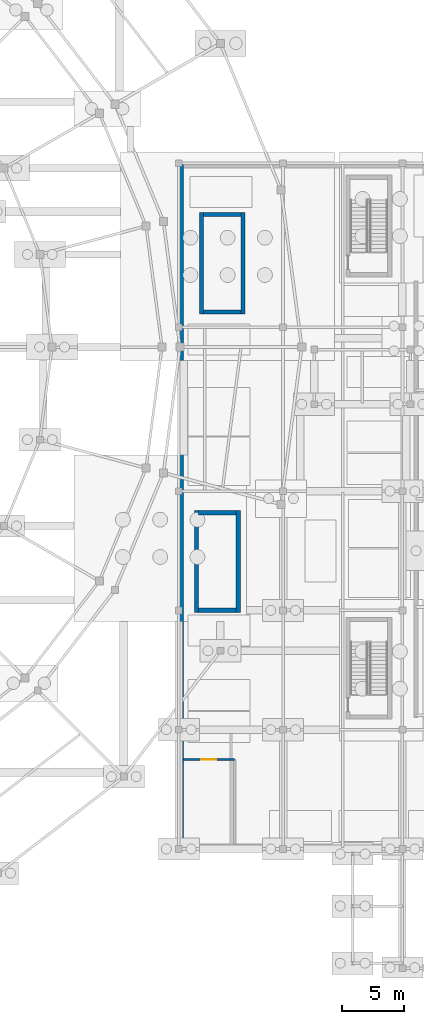
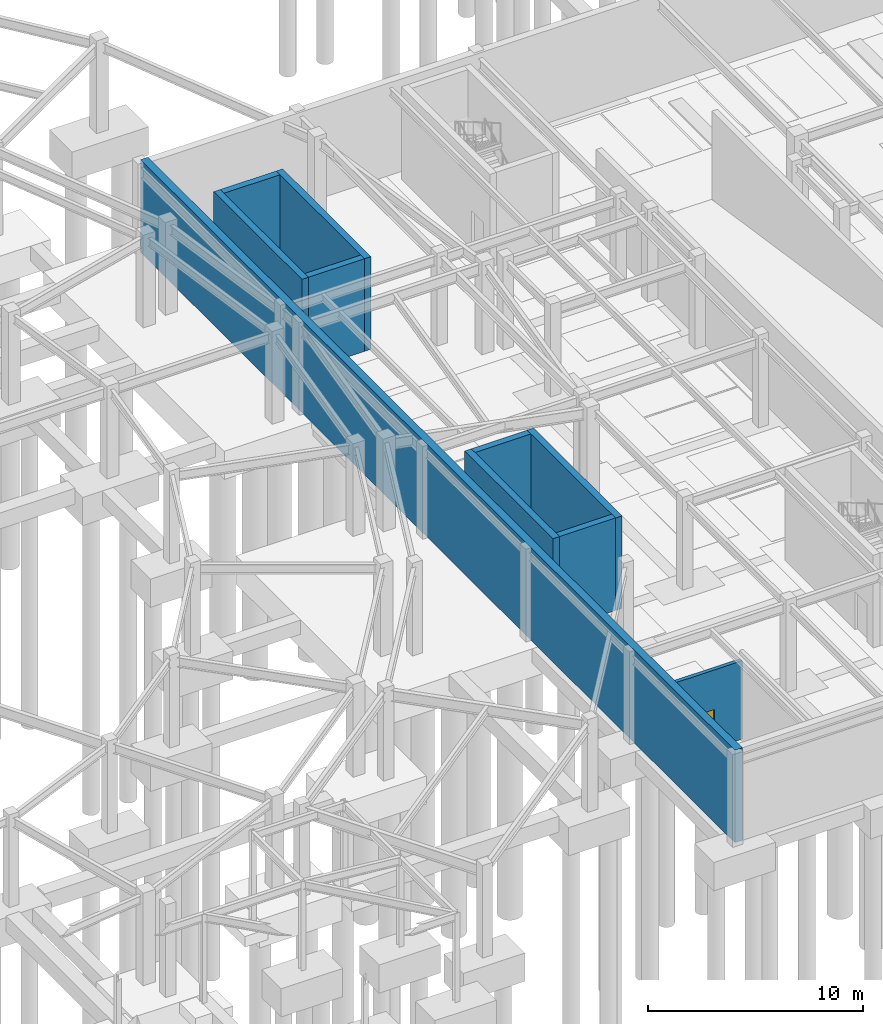
# One storey, part 46 of 55: 10 walls, 1 door, 1 opening.
"""IFC4 building model written with IfcOpenShell, lengths in metres."""

from ifc_helpers import new_model, si_unit, direction, frame, frame_2d, origin, place, context, subcontext, project, spatial, rectangle, extrude, material, layer, layer_set, type_object, element, fill, save


model = new_model("IFC4")

# Units and contexts
model_context = context("Model", 3, precision=1e-05, world=origin(), true_north=direction((0.0, 1.0)))
body_context = subcontext(model_context, "Body", "Model", "MODEL_VIEW")
ifc_project = project(units=[si_unit("LENGTHUNIT", "METRE"), si_unit("AREAUNIT", "SQUARE_METRE"), si_unit("VOLUMEUNIT", "CUBIC_METRE"), si_unit("PLANEANGLEUNIT", "RADIAN"), si_unit("MASSUNIT", "GRAM", prefix="KILO")], contexts=[model_context])

# Site, building, storey
site_placement = place(None, origin())
site = spatial("IfcSite", under=ifc_project, at=site_placement, CompositionType="ELEMENT")
building_placement = place(site_placement, origin())
building = spatial("IfcBuilding", under=site, at=building_placement, Name="Almandine Court Research Institute", CompositionType="ELEMENT")
storey_placement = place(building_placement, frame((0.0, 0.0, -5.25)))
storey = spatial("IfcBuildingStorey", under=building, at=storey_placement, Name="B1", CompositionType="ELEMENT", Elevation=-5.25)

# Wall, opening, door
ifc_material_1 = material(Name="Two-Hour Fire-Barrier Enclosure Wall")
ifc_layer_1 = layer(ifc_material_1, 0.199951171875)
ifc_layer_set_1 = layer_set([ifc_layer_1], Name="Two-Hour Fire-Barrier Enclosure Wall")
wall_type_1 = type_object("IfcWallType", Name="Wall-FIRE-200", PredefinedType="SOLIDWALL", material=ifc_layer_set_1)
wall_1_placement = place(storey_placement, frame((126.39990234375, 22.800048828125, 0.0), z_axis=(0.0, 0.0, 1.0), x_axis=(1.0, 0.0, 0.0)))
wall_1 = element("IfcWall", 1, at=wall_1_placement, inside=storey, type_object=wall_type_1, Name="B1 Interior Partition W-B1-BICY", PredefinedType="SOLIDWALL", context=body_context, shape_type="SweptSolid", body=[
    extrude(rectangle(XDim=4.10009765625, YDim=0.199951171875, at=frame_2d((2.050048828125, 0.0))), origin(), (0.0, 0.0, 1.0), 4.445068359375),
])
opening_placement = place(wall_1_placement, frame((1.39990234375, 0.0, 0.0)))
opening = element("IfcOpeningElement", 2, at=opening_placement, cuts=wall_1, Name="Opening FD-LAB", PredefinedType="OPENING", context=body_context, shape_type="SweptSolid", body=[
    extrude(rectangle(XDim=1.199951171875, YDim=2.199951171875, at=frame_2d((0.60009765625, 1.10009765625))), frame((0.0, 0.10986328125, 0.0), z_axis=(0.0, -1.0, 0.0), x_axis=(1.0, 0.0, 0.0)), (0.0, 0.0, 1.0), 0.219970703125),
])
ifc_material_2 = material(Name="Fire-Rated Laboratory Containment Door")
door_type = type_object("IfcDoorType", Name="Door-FD-LAB-1200", OperationType="NOTDEFINED", PredefinedType="DOOR", material=ifc_material_2)
door_placement = place(opening_placement, origin())
door = element("IfcDoor", 3, at=door_placement, inside=storey, type_object=door_type, Name="B1 Bicycle Store Fire Door", OperationType="SINGLE_SWING_LEFT", OverallHeight=2.199951171875, OverallWidth=1.199951171875, PredefinedType="DOOR", context=body_context, shape_type="SweptSolid", body=[
    extrude(rectangle(XDim=1.199951171875, YDim=2.199951171875, at=frame_2d((0.60009765625, 1.10009765625))), frame((0.0, 0.02490234375, 0.0), z_axis=(0.0, -1.0, 0.0), x_axis=(1.0, 0.0, 0.0)), (0.0, 0.0, 1.0), 0.050048828125),
])
fill(opening, door)

# Walls
ifc_material_3 = material(Name="Concrete C40/50", Category="concrete")
ifc_layer_2 = layer(ifc_material_3, 0.39990234375)
ifc_layer_set_2 = layer_set([ifc_layer_2], Name="Concrete C40/50")
wall_type_2 = type_object("IfcWallType", Name="Wall-RW-B1-400", PredefinedType="USERDEFINED", material=ifc_layer_set_2)
wall_2_placement = place(storey_placement, frame((126.199951171875, 15.60009765625, 0.0), z_axis=(0.0, 0.0, 1.0), x_axis=(0.0, 1.0, 0.0)))
element("IfcWall", 4, at=wall_2_placement, inside=storey, type_object=wall_type_2, Name="B1 Basement Perimeter Retaining W Shear Wall", ObjectType="RETAINING WALL", PredefinedType="USERDEFINED", context=body_context, shape_type="SweptSolid", body=[
    extrude(rectangle(XDim=55.199951171875, YDim=0.39990234375, at=frame_2d((27.60009765625, 0.0))), origin(), (0.0, 0.0, 1.0), 5.25),
])
ifc_layer_3 = layer(ifc_material_3, 0.35009765625)
ifc_layer_set_3 = layer_set([ifc_layer_3], Name="Concrete C40/50")
wall_type_3 = type_object("IfcWallType", Name="Wall-SW-CORE-350", PredefinedType="SHEAR", material=ifc_layer_set_3)
wall_3_placement = place(storey_placement, frame((127.824951171875, 58.64990234375, 0.0), z_axis=(0.0, 0.0, 1.0), x_axis=(0.0, 1.0, 0.0)))
element("IfcWall", 5, at=wall_3_placement, inside=storey, type_object=wall_type_3, Name="B1 ST-14 Substructure W Shear Wall", PredefinedType="SHEAR", context=body_context, shape_type="SweptSolid", body=[
    extrude(rectangle(XDim=8.2001953125, YDim=0.35009765625, at=frame_2d((4.10009765625, 0.0))), origin(), (0.0, 0.0, 1.0), 5.25),
])
wall_4_placement = place(storey_placement, frame((128.0, 66.675048828125, 0.0), z_axis=(0.0, 0.0, 1.0), x_axis=(1.0, 0.0, 0.0)))
element("IfcWall", 6, at=wall_4_placement, inside=storey, type_object=wall_type_3, Name="B1 ST-14 Substructure N Shear Wall", PredefinedType="SHEAR", context=body_context, shape_type="SweptSolid", body=[
    extrude(rectangle(XDim=3.0, YDim=0.35009765625, at=frame_2d((1.5, 0.0))), origin(), (0.0, 0.0, 1.0), 5.25),
])
wall_5_placement = place(storey_placement, frame((131.175048828125, 66.85009765625, 0.0), z_axis=(0.0, 0.0, 1.0), x_axis=(0.0, -1.0, 0.0)))
element("IfcWall", 7, at=wall_5_placement, inside=storey, type_object=wall_type_3, Name="B1 ST-14 Substructure E Shear Wall", PredefinedType="SHEAR", context=body_context, shape_type="SweptSolid", body=[
    extrude(rectangle(XDim=8.2001953125, YDim=0.35009765625, at=frame_2d((4.10009765625, 0.0))), origin(), (0.0, 0.0, 1.0), 5.25),
])
wall_6_placement = place(storey_placement, frame((131.0, 58.824951171875, 0.0), z_axis=(0.0, 0.0, 1.0), x_axis=(-1.0, 0.0, 0.0)))
element("IfcWall", 8, at=wall_6_placement, inside=storey, type_object=wall_type_3, Name="B1 ST-14 Substructure S Shear Wall", PredefinedType="SHEAR", context=body_context, shape_type="SweptSolid", body=[
    extrude(rectangle(XDim=3.0, YDim=0.35009765625, at=frame_2d((1.5, 0.0))), origin(), (0.0, 0.0, 1.0), 5.25),
])
wall_7_placement = place(storey_placement, frame((127.425048828125, 34.64990234375, 0.0), z_axis=(0.0, 0.0, 1.0), x_axis=(0.0, 1.0, 0.0)))
element("IfcWall", 9, at=wall_7_placement, inside=storey, type_object=wall_type_3, Name="B1 ST-16 Substructure W Shear Wall", PredefinedType="SHEAR", context=body_context, shape_type="SweptSolid", body=[
    extrude(rectangle(XDim=8.2001953125, YDim=0.35009765625, at=frame_2d((4.10009765625, 0.0))), origin(), (0.0, 0.0, 1.0), 5.25),
])
wall_8_placement = place(storey_placement, frame((127.60009765625, 42.675048828125, 0.0), z_axis=(0.0, 0.0, 1.0), x_axis=(1.0, 0.0, 0.0)))
element("IfcWall", 10, at=wall_8_placement, inside=storey, type_object=wall_type_3, Name="B1 ST-16 Substructure N Shear Wall", PredefinedType="SHEAR", context=body_context, shape_type="SweptSolid", body=[
    extrude(rectangle(XDim=3.0, YDim=0.35009765625, at=frame_2d((1.5, 0.0))), origin(), (0.0, 0.0, 1.0), 5.25),
])
wall_9_placement = place(storey_placement, frame((130.77490234375, 42.85009765625, 0.0), z_axis=(0.0, 0.0, 1.0), x_axis=(0.0, -1.0, 0.0)))
element("IfcWall", 11, at=wall_9_placement, inside=storey, type_object=wall_type_3, Name="B1 ST-16 Substructure E Shear Wall", PredefinedType="SHEAR", context=body_context, shape_type="SweptSolid", body=[
    extrude(rectangle(XDim=8.2001953125, YDim=0.35009765625, at=frame_2d((4.10009765625, 0.0))), origin(), (0.0, 0.0, 1.0), 5.25),
])
wall_10_placement = place(storey_placement, frame((130.60009765625, 34.824951171875, 0.0), z_axis=(0.0, 0.0, 1.0), x_axis=(-1.0, 0.0, 0.0)))
element("IfcWall", 12, at=wall_10_placement, inside=storey, type_object=wall_type_3, Name="B1 ST-16 Substructure S Shear Wall", PredefinedType="SHEAR", context=body_context, shape_type="SweptSolid", body=[
    extrude(rectangle(XDim=3.0, YDim=0.35009765625, at=frame_2d((1.5, 0.0))), origin(), (0.0, 0.0, 1.0), 5.25),
])

save(model, "model.ifc")
